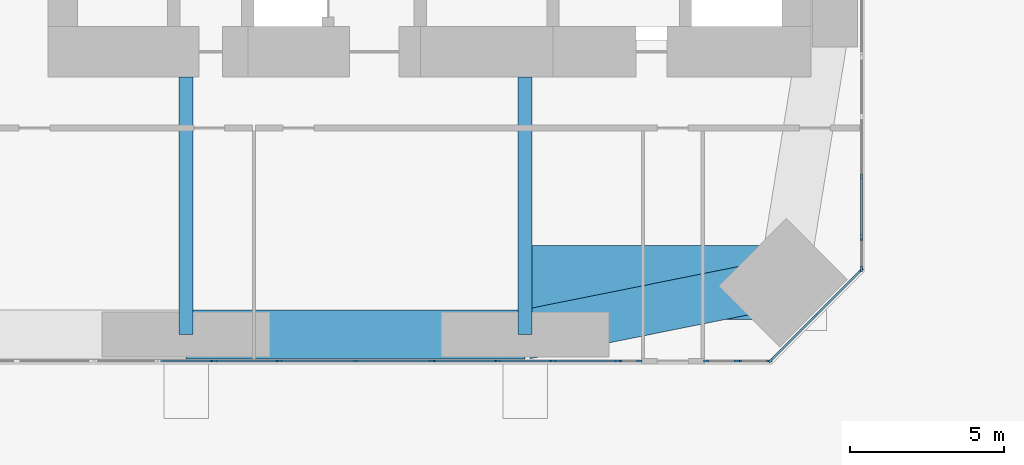
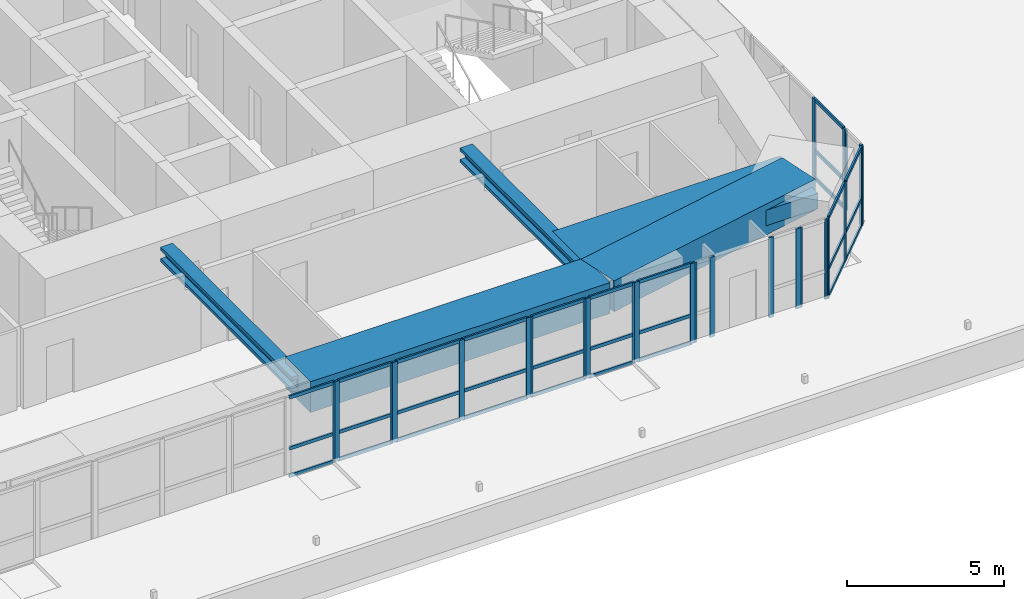
# One storey, part 3 of 20: 55 members, 5 beams, 12 elements without a shape of their own.
"""IFC4 building model written with IfcOpenShell, lengths in metres."""

from ifc_helpers import new_model, si_unit, direction, frame, origin, origin_2d, place, context, subcontext, project, spatial, rectangle, i_section, extrude, material, material_profile, profile_set, type_object, element, aggregate, save


model = new_model("IFC4")

# Units and contexts
model_context = context("Model", 3, precision=1e-05, world=origin(), true_north=direction((0.0, 1.0)))
body_context = subcontext(model_context, "Body", "Model", "MODEL_VIEW")
ifc_project = project(units=[si_unit("LENGTHUNIT", "METRE"), si_unit("AREAUNIT", "SQUARE_METRE"), si_unit("VOLUMEUNIT", "CUBIC_METRE"), si_unit("PLANEANGLEUNIT", "RADIAN"), si_unit("MASSUNIT", "GRAM", prefix="KILO")], contexts=[model_context])

# Site, building, storey
site_placement = place(None, origin())
site = spatial("IfcSite", under=ifc_project, at=site_placement, CompositionType="ELEMENT")
building_placement = place(site_placement, origin())
building = spatial("IfcBuilding", under=site, at=building_placement, Name="Jalousie Tower", CompositionType="ELEMENT")
storey_placement = place(building_placement, frame((0.0, 0.0, 21.0)))
storey = spatial("IfcBuildingStorey", under=building, at=storey_placement, Name="L04", CompositionType="ELEMENT", Elevation=21.0)

# Curtain wall, members
ifc_material_1 = material(Name="Aluminium curtain wall", Category="aluminium")
curtain_wall_type_1 = type_object("IfcCurtainWallType", Name="AMENITY SPANDREL WALL", PredefinedType="USERDEFINED", material=ifc_material_1)
curtain_wall_1_placement = place(storey_placement, origin())
curtain_wall_1 = element("IfcCurtainWall", 1, at=curtain_wall_1_placement, inside=storey, type_object=curtain_wall_type_1, Name="Amenity Spandrel Wall L04 9", ObjectType="AMENITY SPANDREL WALL", PredefinedType="USERDEFINED")
ifc_material_2 = material(Name="Aluminium mullion", Category="aluminium")
ifc_material_profile_1 = material_profile(ifc_material_2, rectangle(XDim=0.06494140625, YDim=0.175048828125, at=origin_2d()), Name="MULLION 65x175")
ifc_profile_set_1 = profile_set([ifc_material_profile_1], Name="Aluminium mullion")
member_type_1 = type_object("IfcMemberType", Name="AMENITY SPANDREL WALL MULLION", PredefinedType="MULLION", material=ifc_profile_set_1)
member_1_placement = place(storey_placement, frame((24.927490234375, 0.08740234375, 0.0), z_axis=(0.0, 0.0, 1.0), x_axis=(0.0, 1.0, 0.0)))
member_1 = element("IfcMember", 2, at=member_1_placement, type_object=member_type_1, Name="CW-AS mullion 1", PredefinedType="MULLION", context=body_context, shape_type="SweptSolid", body=[
    extrude(rectangle(XDim=0.06494140625, YDim=0.175048828125, at=origin_2d()), origin(), (0.0, 0.0, 1.0), 3.110107421875),
])
member_2_placement = place(storey_placement, frame((26.98193359375, 0.08740234375, 0.0), z_axis=(0.0, 0.0, 1.0), x_axis=(0.0, 1.0, 0.0)))
member_2 = element("IfcMember", 3, at=member_2_placement, type_object=member_type_1, Name="CW-AS mullion 2", PredefinedType="MULLION", context=body_context, shape_type="SweptSolid", body=[
    extrude(rectangle(XDim=0.06494140625, YDim=0.175048828125, at=origin_2d()), origin(), (0.0, 0.0, 1.0), 3.110107421875),
])

curtain_wall_2_placement = place(storey_placement, origin())
curtain_wall_2 = element("IfcCurtainWall", 4, at=curtain_wall_2_placement, inside=storey, type_object=curtain_wall_type_1, Name="Amenity Spandrel Wall L04 11", ObjectType="AMENITY SPANDREL WALL", PredefinedType="USERDEFINED")
member_3_placement = place(storey_placement, frame((32.01806640625, 0.08740234375, 0.0), z_axis=(0.0, 0.0, 1.0), x_axis=(0.0, 1.0, 0.0)))
member_3 = element("IfcMember", 5, at=member_3_placement, type_object=member_type_1, Name="CW-AS mullion 1", PredefinedType="MULLION", context=body_context, shape_type="SweptSolid", body=[
    extrude(rectangle(XDim=0.06494140625, YDim=0.175048828125, at=origin_2d()), origin(), (0.0, 0.0, 1.0), 3.110107421875),
])
member_4_placement = place(storey_placement, frame((34.072509765625, 0.08740234375, 0.0), z_axis=(0.0, 0.0, 1.0), x_axis=(0.0, 1.0, 0.0)))
member_4 = element("IfcMember", 6, at=member_4_placement, type_object=member_type_1, Name="CW-AS mullion 2", PredefinedType="MULLION", context=body_context, shape_type="SweptSolid", body=[
    extrude(rectangle(XDim=0.06494140625, YDim=0.175048828125, at=origin_2d()), origin(), (0.0, 0.0, 1.0), 3.110107421875),
])

curtain_wall_3_placement = place(storey_placement, origin())
curtain_wall_3 = element("IfcCurtainWall", 7, at=curtain_wall_3_placement, inside=storey, type_object=curtain_wall_type_1, Name="Amenity Spandrel Wall L04 13", ObjectType="AMENITY SPANDREL WALL", PredefinedType="USERDEFINED")
member_5_placement = place(storey_placement, frame((35.927490234375, 0.08740234375, 0.0), z_axis=(0.0, 0.0, 1.0), x_axis=(0.0, 1.0, 0.0)))
member_5 = element("IfcMember", 8, at=member_5_placement, type_object=member_type_1, Name="CW-AS mullion 1", PredefinedType="MULLION", context=body_context, shape_type="SweptSolid", body=[
    extrude(rectangle(XDim=0.06494140625, YDim=0.175048828125, at=origin_2d()), origin(), (0.0, 0.0, 1.0), 3.110107421875),
])
member_6_placement = place(storey_placement, frame((37.98193359375, 0.08740234375, 0.0), z_axis=(0.0, 0.0, 1.0), x_axis=(0.0, 1.0, 0.0)))
member_6 = element("IfcMember", 9, at=member_6_placement, type_object=member_type_1, Name="CW-AS mullion 2", PredefinedType="MULLION", context=body_context, shape_type="SweptSolid", body=[
    extrude(rectangle(XDim=0.06494140625, YDim=0.175048828125, at=origin_2d()), origin(), (0.0, 0.0, 1.0), 3.110107421875),
])

curtain_wall_4_placement = place(storey_placement, origin())
curtain_wall_4 = element("IfcCurtainWall", 10, at=curtain_wall_4_placement, inside=storey, type_object=curtain_wall_type_1, Name="Amenity Spandrel Wall L04 15", ObjectType="AMENITY SPANDREL WALL", PredefinedType="USERDEFINED")
member_7_placement = place(storey_placement, frame((41.927734375, 0.08740234375, 0.0), z_axis=(0.0, 0.0, 1.0), x_axis=(0.0, 1.0, 0.0)))
member_7 = element("IfcMember", 11, at=member_7_placement, type_object=member_type_1, Name="CW-AS mullion 1", PredefinedType="MULLION", context=body_context, shape_type="SweptSolid", body=[
    extrude(rectangle(XDim=0.06494140625, YDim=0.175048828125, at=origin_2d()), origin(), (0.0, 0.0, 1.0), 3.110107421875),
])
member_8_placement = place(storey_placement, frame((42.916259765625, 0.08740234375, 0.0), z_axis=(0.0, 0.0, 1.0), x_axis=(0.0, 1.0, 0.0)))
member_8 = element("IfcMember", 12, at=member_8_placement, type_object=member_type_1, Name="CW-AS mullion 2", PredefinedType="MULLION", context=body_context, shape_type="SweptSolid", body=[
    extrude(rectangle(XDim=0.06494140625, YDim=0.175048828125, at=origin_2d()), origin(), (0.0, 0.0, 1.0), 3.110107421875),
])
aggregate(curtain_wall_4, [member_7, member_8])

curtain_wall_5_placement = place(storey_placement, origin())
curtain_wall_5 = element("IfcCurtainWall", 13, at=curtain_wall_5_placement, inside=storey, type_object=curtain_wall_type_1, Name="Amenity Spandrel Wall L04 2", ObjectType="AMENITY SPANDREL WALL", PredefinedType="USERDEFINED")
member_9_placement = place(storey_placement, frame((42.9716796875, 0.110595703125, 0.0), z_axis=(0.0, 0.0, 1.0), x_axis=(-0.707106781187, 0.707106781187, 0.0)))
member_9 = element("IfcMember", 14, at=member_9_placement, type_object=member_type_1, Name="CW-AS mullion 1", PredefinedType="MULLION", context=body_context, shape_type="SweptSolid", body=[
    extrude(rectangle(XDim=0.06494140625, YDim=0.175048828125, at=origin_2d()), origin(), (0.0, 0.0, 1.0), 3.110107421875),
])
member_10_placement = place(storey_placement, frame((44.4306640625, 1.5693359375, 0.0), z_axis=(0.0, 0.0, 1.0), x_axis=(-0.707106781187, 0.707106781187, 0.0)))
member_10 = element("IfcMember", 15, at=member_10_placement, type_object=member_type_1, Name="CW-AS mullion 2", PredefinedType="MULLION", context=body_context, shape_type="SweptSolid", body=[
    extrude(rectangle(XDim=0.06494140625, YDim=0.175048828125, at=origin_2d()), origin(), (0.0, 0.0, 1.0), 3.110107421875),
])
member_11_placement = place(storey_placement, frame((45.889404296875, 3.0283203125, 0.0), z_axis=(0.0, 0.0, 1.0), x_axis=(-0.707106781187, 0.707106781187, 0.0)))
member_11 = element("IfcMember", 16, at=member_11_placement, type_object=member_type_1, Name="CW-AS mullion 3", PredefinedType="MULLION", context=body_context, shape_type="SweptSolid", body=[
    extrude(rectangle(XDim=0.06494140625, YDim=0.175048828125, at=origin_2d()), origin(), (0.0, 0.0, 1.0), 3.110107421875),
])

curtain_wall_6_placement = place(storey_placement, origin())
curtain_wall_6 = element("IfcCurtainWall", 17, at=curtain_wall_6_placement, inside=storey, type_object=curtain_wall_type_1, Name="Amenity Spandrel Wall L04 21", ObjectType="AMENITY SPANDREL WALL", PredefinedType="USERDEFINED")
member_12_placement = place(storey_placement, frame((45.91259765625, 3.083740234375, 0.0), z_axis=(0.0, 0.0, 1.0), x_axis=(-1.0, 0.0, 0.0)))
member_12 = element("IfcMember", 18, at=member_12_placement, type_object=member_type_1, Name="CW-AS mullion 1", PredefinedType="MULLION", context=body_context, shape_type="SweptSolid", body=[
    extrude(rectangle(XDim=0.06494140625, YDim=0.175048828125, at=origin_2d()), origin(), (0.0, 0.0, 1.0), 3.110107421875),
])
member_13_placement = place(storey_placement, frame((45.91259765625, 4.072265625, 0.0), z_axis=(0.0, 0.0, 1.0), x_axis=(-1.0, 0.0, 0.0)))
member_13 = element("IfcMember", 19, at=member_13_placement, type_object=member_type_1, Name="CW-AS mullion 2", PredefinedType="MULLION", context=body_context, shape_type="SweptSolid", body=[
    extrude(rectangle(XDim=0.06494140625, YDim=0.175048828125, at=origin_2d()), origin(), (0.0, 0.0, 1.0), 3.110107421875),
])
aggregate(curtain_wall_6, [member_12, member_13])

curtain_wall_7_placement = place(storey_placement, origin())
curtain_wall_7 = element("IfcCurtainWall", 20, at=curtain_wall_7_placement, inside=storey, type_object=curtain_wall_type_1, Name="Amenity Spandrel Wall L04 14", ObjectType="AMENITY SPANDREL WALL", PredefinedType="USERDEFINED")
member_14_placement = place(storey_placement, frame((38.047119140625, 0.08740234375, 0.0), z_axis=(0.0, 0.0, 1.0), x_axis=(0.0, 1.0, 0.0)))
member_14 = element("IfcMember", 21, at=member_14_placement, type_object=member_type_1, Name="CW-AS mullion 1", PredefinedType="MULLION", context=body_context, shape_type="SweptSolid", body=[
    extrude(rectangle(XDim=0.06494140625, YDim=0.175048828125, at=origin_2d()), origin(), (0.0, 0.0, 1.0), 3.110107421875),
])
member_15_placement = place(storey_placement, frame((38.705322265625, 0.08740234375, 0.0), z_axis=(0.0, 0.0, 1.0), x_axis=(0.0, 1.0, 0.0)))
member_15 = element("IfcMember", 22, at=member_15_placement, type_object=member_type_1, Name="CW-AS mullion 2", PredefinedType="MULLION", context=body_context, shape_type="SweptSolid", body=[
    extrude(rectangle(XDim=0.06494140625, YDim=0.175048828125, at=origin_2d()), origin(), (0.0, 0.0, 1.0), 3.110107421875),
])
aggregate(curtain_wall_7, [member_14, member_15])

curtain_wall_8_placement = place(storey_placement, origin())
curtain_wall_8 = element("IfcCurtainWall", 23, at=curtain_wall_8_placement, inside=storey, type_object=curtain_wall_type_1, Name="Amenity Spandrel Wall L04 14 east", ObjectType="AMENITY SPANDREL WALL", PredefinedType="USERDEFINED")
member_16_placement = place(storey_placement, frame((40.875732421875, 0.08740234375, 0.0), z_axis=(0.0, 0.0, 1.0), x_axis=(0.0, 1.0, 0.0)))
member_16 = element("IfcMember", 24, at=member_16_placement, type_object=member_type_1, Name="CW-AS mullion 1", PredefinedType="MULLION", context=body_context, shape_type="SweptSolid", body=[
    extrude(rectangle(XDim=0.06494140625, YDim=0.175048828125, at=origin_2d()), origin(), (0.0, 0.0, 1.0), 3.110107421875),
])
member_17_placement = place(storey_placement, frame((41.86279296875, 0.08740234375, 0.0), z_axis=(0.0, 0.0, 1.0), x_axis=(0.0, 1.0, 0.0)))
member_17 = element("IfcMember", 25, at=member_17_placement, type_object=member_type_1, Name="CW-AS mullion 2", PredefinedType="MULLION", context=body_context, shape_type="SweptSolid", body=[
    extrude(rectangle(XDim=0.06494140625, YDim=0.175048828125, at=origin_2d()), origin(), (0.0, 0.0, 1.0), 3.110107421875),
])
aggregate(curtain_wall_8, [member_16, member_17])

# Member
ifc_material_3 = material(Name="Aluminium transom", Category="aluminium")
ifc_material_profile_2 = material_profile(ifc_material_3, rectangle(XDim=0.06494140625, YDim=0.1298828125, at=origin_2d()), Name="TRANSOM 65x130")
ifc_profile_set_2 = profile_set([ifc_material_profile_2], Name="Aluminium transom")
member_type_2 = type_object("IfcMemberType", Name="AMENITY SPANDREL WALL TRANSOM", PredefinedType="USERDEFINED", material=ifc_profile_set_2)
member_18_placement = place(storey_placement, frame((24.960205078125, 0.08740234375, 0.032470703125), z_axis=(1.0, 0.0, 0.0), x_axis=(0.0, 1.0, 0.0)))
member_18 = element("IfcMember", 26, at=member_18_placement, type_object=member_type_2, Name="CW-AS transom 1.1", ObjectType="TRANSOM", PredefinedType="USERDEFINED", context=body_context, shape_type="SweptSolid", body=[
    extrude(rectangle(XDim=0.06494140625, YDim=0.1298828125, at=origin_2d()), origin(), (0.0, 0.0, 1.0), 1.9892578125),
])

member_19_placement = place(storey_placement, frame((24.960205078125, 0.08740234375, 1.10009765625), z_axis=(1.0, 0.0, 0.0), x_axis=(0.0, 1.0, 0.0)))
member_19 = element("IfcMember", 27, at=member_19_placement, type_object=member_type_2, Name="CW-AS transom 1.2", ObjectType="TRANSOM", PredefinedType="USERDEFINED", context=body_context, shape_type="SweptSolid", body=[
    extrude(rectangle(XDim=0.06494140625, YDim=0.1298828125, at=origin_2d()), origin(), (0.0, 0.0, 1.0), 1.9892578125),
])

member_20_placement = place(storey_placement, frame((24.960205078125, 0.08740234375, 3.077392578125), z_axis=(1.0, 0.0, 0.0), x_axis=(0.0, 1.0, 0.0)))
member_20 = element("IfcMember", 28, at=member_20_placement, type_object=member_type_2, Name="CW-AS transom 1.3", ObjectType="TRANSOM", PredefinedType="USERDEFINED", context=body_context, shape_type="SweptSolid", body=[
    extrude(rectangle(XDim=0.06494140625, YDim=0.1298828125, at=origin_2d()), origin(), (0.0, 0.0, 1.0), 1.9892578125),
])

aggregate(curtain_wall_1, [member_1, member_2, member_18, member_19, member_20])

member_21_placement = place(storey_placement, frame((32.050537109375, 0.08740234375, 0.032470703125), z_axis=(1.0, 0.0, 0.0), x_axis=(0.0, 1.0, 0.0)))
member_21 = element("IfcMember", 29, at=member_21_placement, type_object=member_type_2, Name="CW-AS transom 1.1", ObjectType="TRANSOM", PredefinedType="USERDEFINED", context=body_context, shape_type="SweptSolid", body=[
    extrude(rectangle(XDim=0.06494140625, YDim=0.1298828125, at=origin_2d()), origin(), (0.0, 0.0, 1.0), 1.9892578125),
])

member_22_placement = place(storey_placement, frame((32.050537109375, 0.08740234375, 1.10009765625), z_axis=(1.0, 0.0, 0.0), x_axis=(0.0, 1.0, 0.0)))
member_22 = element("IfcMember", 30, at=member_22_placement, type_object=member_type_2, Name="CW-AS transom 1.2", ObjectType="TRANSOM", PredefinedType="USERDEFINED", context=body_context, shape_type="SweptSolid", body=[
    extrude(rectangle(XDim=0.06494140625, YDim=0.1298828125, at=origin_2d()), origin(), (0.0, 0.0, 1.0), 1.9892578125),
])

member_23_placement = place(storey_placement, frame((32.050537109375, 0.08740234375, 3.077392578125), z_axis=(1.0, 0.0, 0.0), x_axis=(0.0, 1.0, 0.0)))
member_23 = element("IfcMember", 31, at=member_23_placement, type_object=member_type_2, Name="CW-AS transom 1.3", ObjectType="TRANSOM", PredefinedType="USERDEFINED", context=body_context, shape_type="SweptSolid", body=[
    extrude(rectangle(XDim=0.06494140625, YDim=0.1298828125, at=origin_2d()), origin(), (0.0, 0.0, 1.0), 1.9892578125),
])

aggregate(curtain_wall_2, [member_3, member_4, member_21, member_22, member_23])

member_24_placement = place(storey_placement, frame((35.960205078125, 0.08740234375, 0.032470703125), z_axis=(1.0, 0.0, 0.0), x_axis=(0.0, 1.0, 0.0)))
member_24 = element("IfcMember", 32, at=member_24_placement, type_object=member_type_2, Name="CW-AS transom 1.1", ObjectType="TRANSOM", PredefinedType="USERDEFINED", context=body_context, shape_type="SweptSolid", body=[
    extrude(rectangle(XDim=0.06494140625, YDim=0.1298828125, at=origin_2d()), origin(), (0.0, 0.0, 1.0), 1.9892578125),
])

member_25_placement = place(storey_placement, frame((35.960205078125, 0.08740234375, 1.10009765625), z_axis=(1.0, 0.0, 0.0), x_axis=(0.0, 1.0, 0.0)))
member_25 = element("IfcMember", 33, at=member_25_placement, type_object=member_type_2, Name="CW-AS transom 1.2", ObjectType="TRANSOM", PredefinedType="USERDEFINED", context=body_context, shape_type="SweptSolid", body=[
    extrude(rectangle(XDim=0.06494140625, YDim=0.1298828125, at=origin_2d()), origin(), (0.0, 0.0, 1.0), 1.9892578125),
])

member_26_placement = place(storey_placement, frame((35.960205078125, 0.08740234375, 3.077392578125), z_axis=(1.0, 0.0, 0.0), x_axis=(0.0, 1.0, 0.0)))
member_26 = element("IfcMember", 34, at=member_26_placement, type_object=member_type_2, Name="CW-AS transom 1.3", ObjectType="TRANSOM", PredefinedType="USERDEFINED", context=body_context, shape_type="SweptSolid", body=[
    extrude(rectangle(XDim=0.06494140625, YDim=0.1298828125, at=origin_2d()), origin(), (0.0, 0.0, 1.0), 1.9892578125),
])

aggregate(curtain_wall_3, [member_5, member_6, member_24, member_25, member_26])

member_27_placement = place(storey_placement, frame((42.99462890625, 0.133544921875, 0.032470703125), z_axis=(0.707167867686, 0.707045689409, 0.0), x_axis=(-0.707045689409, 0.707167867686, 0.0)))
member_27 = element("IfcMember", 35, at=member_27_placement, type_object=member_type_2, Name="CW-AS transom 1.1", ObjectType="TRANSOM", PredefinedType="USERDEFINED", context=body_context, shape_type="SweptSolid", body=[
    extrude(rectangle(XDim=0.06494140625, YDim=0.1298828125, at=origin_2d()), origin(), (0.0, 0.0, 1.0), 1.998291015625),
])

member_28_placement = place(storey_placement, frame((42.99462890625, 0.133544921875, 1.10009765625), z_axis=(0.707167867686, 0.707045689409, 0.0), x_axis=(-0.707045689409, 0.707167867686, 0.0)))
member_28 = element("IfcMember", 36, at=member_28_placement, type_object=member_type_2, Name="CW-AS transom 1.2", ObjectType="TRANSOM", PredefinedType="USERDEFINED", context=body_context, shape_type="SweptSolid", body=[
    extrude(rectangle(XDim=0.06494140625, YDim=0.1298828125, at=origin_2d()), origin(), (0.0, 0.0, 1.0), 1.998291015625),
])

member_29_placement = place(storey_placement, frame((42.99462890625, 0.133544921875, 3.077392578125), z_axis=(0.707167867686, 0.707045689409, 0.0), x_axis=(-0.707045689409, 0.707167867686, 0.0)))
member_29 = element("IfcMember", 37, at=member_29_placement, type_object=member_type_2, Name="CW-AS transom 1.3", ObjectType="TRANSOM", PredefinedType="USERDEFINED", context=body_context, shape_type="SweptSolid", body=[
    extrude(rectangle(XDim=0.06494140625, YDim=0.1298828125, at=origin_2d()), origin(), (0.0, 0.0, 1.0), 1.998291015625),
])

member_30_placement = place(storey_placement, frame((44.45361328125, 1.59228515625, 0.032470703125), z_axis=(0.707045689409, 0.707167867686, 0.0), x_axis=(-0.707167867686, 0.707045689409, 0.0)))
member_30 = element("IfcMember", 38, at=member_30_placement, type_object=member_type_2, Name="CW-AS transom 2.1", ObjectType="TRANSOM", PredefinedType="USERDEFINED", context=body_context, shape_type="SweptSolid", body=[
    extrude(rectangle(XDim=0.06494140625, YDim=0.1298828125, at=origin_2d()), origin(), (0.0, 0.0, 1.0), 1.998291015625),
])

member_31_placement = place(storey_placement, frame((44.45361328125, 1.59228515625, 1.10009765625), z_axis=(0.707045689409, 0.707167867686, 0.0), x_axis=(-0.707167867686, 0.707045689409, 0.0)))
member_31 = element("IfcMember", 39, at=member_31_placement, type_object=member_type_2, Name="CW-AS transom 2.2", ObjectType="TRANSOM", PredefinedType="USERDEFINED", context=body_context, shape_type="SweptSolid", body=[
    extrude(rectangle(XDim=0.06494140625, YDim=0.1298828125, at=origin_2d()), origin(), (0.0, 0.0, 1.0), 1.998291015625),
])

member_32_placement = place(storey_placement, frame((44.45361328125, 1.59228515625, 3.077392578125), z_axis=(0.707045689409, 0.707167867686, 0.0), x_axis=(-0.707167867686, 0.707045689409, 0.0)))
member_32 = element("IfcMember", 40, at=member_32_placement, type_object=member_type_2, Name="CW-AS transom 2.3", ObjectType="TRANSOM", PredefinedType="USERDEFINED", context=body_context, shape_type="SweptSolid", body=[
    extrude(rectangle(XDim=0.06494140625, YDim=0.1298828125, at=origin_2d()), origin(), (0.0, 0.0, 1.0), 1.998291015625),
])

aggregate(curtain_wall_5, [member_9, member_10, member_11, member_27, member_28, member_29, member_30, member_31, member_32])

# Curtain wall, member
ifc_material_4 = material(Name="Aluminium curtain wall", Category="aluminium")
curtain_wall_type_2 = type_object("IfcCurtainWallType", Name="AMENITY WINDOW WALL", PredefinedType="USERDEFINED", material=ifc_material_4)
curtain_wall_9_placement = place(storey_placement, origin())
curtain_wall_9 = element("IfcCurtainWall", 41, at=curtain_wall_9_placement, inside=storey, type_object=curtain_wall_type_2, Name="Amenity Window Wall L04 8", ObjectType="AMENITY WINDOW WALL", PredefinedType="USERDEFINED")
ifc_material_5 = material(Name="Aluminium mullion", Category="aluminium")
ifc_material_profile_3 = material_profile(ifc_material_5, rectangle(XDim=0.06494140625, YDim=0.175048828125, at=origin_2d()), Name="MULLION 65x175")
ifc_profile_set_3 = profile_set([ifc_material_profile_3], Name="Aluminium mullion")
member_type_3 = type_object("IfcMemberType", Name="AMENITY WINDOW WALL MULLION", PredefinedType="MULLION", material=ifc_profile_set_3)
member_33_placement = place(storey_placement, frame((24.862548828125, 0.08740234375, 0.0), z_axis=(0.0, 0.0, 1.0), x_axis=(0.0, 1.0, 0.0)))
member_33 = element("IfcMember", 42, at=member_33_placement, type_object=member_type_3, Name="CW-A mullion 2", PredefinedType="MULLION", context=body_context, shape_type="SweptSolid", body=[
    extrude(rectangle(XDim=0.06494140625, YDim=0.175048828125, at=origin_2d()), origin(), (0.0, 0.0, 1.0), 3.110107421875),
])

# Curtain wall, members
curtain_wall_10_placement = place(storey_placement, origin())
curtain_wall_10 = element("IfcCurtainWall", 43, at=curtain_wall_10_placement, inside=storey, type_object=curtain_wall_type_2, Name="Amenity Window Wall L04 10", ObjectType="AMENITY WINDOW WALL", PredefinedType="USERDEFINED")
member_34_placement = place(storey_placement, frame((27.047119140625, 0.08740234375, 0.0), z_axis=(0.0, 0.0, 1.0), x_axis=(0.0, 1.0, 0.0)))
member_34 = element("IfcMember", 44, at=member_34_placement, type_object=member_type_3, Name="CW-A mullion 1", PredefinedType="MULLION", context=body_context, shape_type="SweptSolid", body=[
    extrude(rectangle(XDim=0.06494140625, YDim=0.175048828125, at=origin_2d()), origin(), (0.0, 0.0, 1.0), 3.110107421875),
])
member_35_placement = place(storey_placement, frame((29.5, 0.08740234375, 0.0), z_axis=(0.0, 0.0, 1.0), x_axis=(0.0, 1.0, 0.0)))
member_35 = element("IfcMember", 45, at=member_35_placement, type_object=member_type_3, Name="CW-A mullion 2", PredefinedType="MULLION", context=body_context, shape_type="SweptSolid", body=[
    extrude(rectangle(XDim=0.06494140625, YDim=0.175048828125, at=origin_2d()), origin(), (0.0, 0.0, 1.0), 3.110107421875),
])
member_36_placement = place(storey_placement, frame((31.952880859375, 0.08740234375, 0.0), z_axis=(0.0, 0.0, 1.0), x_axis=(0.0, 1.0, 0.0)))
member_36 = element("IfcMember", 46, at=member_36_placement, type_object=member_type_3, Name="CW-A mullion 3", PredefinedType="MULLION", context=body_context, shape_type="SweptSolid", body=[
    extrude(rectangle(XDim=0.06494140625, YDim=0.175048828125, at=origin_2d()), origin(), (0.0, 0.0, 1.0), 3.110107421875),
])

curtain_wall_11_placement = place(storey_placement, origin())
curtain_wall_11 = element("IfcCurtainWall", 47, at=curtain_wall_11_placement, inside=storey, type_object=curtain_wall_type_2, Name="Amenity Window Wall L04 12", ObjectType="AMENITY WINDOW WALL", PredefinedType="USERDEFINED")
member_37_placement = place(storey_placement, frame((34.137451171875, 0.08740234375, 0.0), z_axis=(0.0, 0.0, 1.0), x_axis=(0.0, 1.0, 0.0)))
member_37 = element("IfcMember", 48, at=member_37_placement, type_object=member_type_3, Name="CW-A mullion 1", PredefinedType="MULLION", context=body_context, shape_type="SweptSolid", body=[
    extrude(rectangle(XDim=0.06494140625, YDim=0.175048828125, at=origin_2d()), origin(), (0.0, 0.0, 1.0), 3.110107421875),
])
member_38_placement = place(storey_placement, frame((35.862548828125, 0.08740234375, 0.0), z_axis=(0.0, 0.0, 1.0), x_axis=(0.0, 1.0, 0.0)))
member_38 = element("IfcMember", 49, at=member_38_placement, type_object=member_type_3, Name="CW-A mullion 2", PredefinedType="MULLION", context=body_context, shape_type="SweptSolid", body=[
    extrude(rectangle(XDim=0.06494140625, YDim=0.175048828125, at=origin_2d()), origin(), (0.0, 0.0, 1.0), 3.110107421875),
])

curtain_wall_12_placement = place(storey_placement, origin())
curtain_wall_12 = element("IfcCurtainWall", 50, at=curtain_wall_12_placement, inside=storey, type_object=curtain_wall_type_2, Name="Amenity Window Wall L04 22", ObjectType="AMENITY WINDOW WALL", PredefinedType="USERDEFINED")
member_39_placement = place(storey_placement, frame((45.91259765625, 4.13720703125, 0.0), z_axis=(0.0, 0.0, 1.0), x_axis=(-1.0, 0.0, 0.0)))
member_39 = element("IfcMember", 51, at=member_39_placement, type_object=member_type_3, Name="CW-A mullion 1", PredefinedType="MULLION", context=body_context, shape_type="SweptSolid", body=[
    extrude(rectangle(XDim=0.06494140625, YDim=0.175048828125, at=origin_2d()), origin(), (0.0, 0.0, 1.0), 3.110107421875),
])
member_40_placement = place(storey_placement, frame((45.91259765625, 6.06494140625, 0.0), z_axis=(0.0, 0.0, 1.0), x_axis=(-1.0, 0.0, 0.0)))
member_40 = element("IfcMember", 52, at=member_40_placement, type_object=member_type_3, Name="CW-A mullion 2", PredefinedType="MULLION", context=body_context, shape_type="SweptSolid", body=[
    extrude(rectangle(XDim=0.06494140625, YDim=0.175048828125, at=origin_2d()), origin(), (0.0, 0.0, 1.0), 3.110107421875),
])

# Member
ifc_material_6 = material(Name="Aluminium transom", Category="aluminium")
ifc_material_profile_4 = material_profile(ifc_material_6, rectangle(XDim=0.06494140625, YDim=0.1298828125, at=origin_2d()), Name="TRANSOM 65x130")
ifc_profile_set_4 = profile_set([ifc_material_profile_4], Name="Aluminium transom")
member_type_4 = type_object("IfcMemberType", Name="AMENITY WINDOW WALL TRANSOM", PredefinedType="USERDEFINED", material=ifc_profile_set_4)
member_41_placement = place(storey_placement, frame((23.169921875, 0.08740234375, 0.032470703125), z_axis=(1.0, 0.0, 0.0), x_axis=(0.0, 1.0, 0.0)))
member_41 = element("IfcMember", 53, at=member_41_placement, type_object=member_type_4, Name="CW-A transom 1.1", ObjectType="TRANSOM", PredefinedType="USERDEFINED", context=body_context, shape_type="SweptSolid", body=[
    extrude(rectangle(XDim=0.06494140625, YDim=0.1298828125, at=origin_2d()), origin(), (0.0, 0.0, 1.0), 1.66015625),
])

member_42_placement = place(storey_placement, frame((23.169921875, 0.08740234375, 1.10009765625), z_axis=(1.0, 0.0, 0.0), x_axis=(0.0, 1.0, 0.0)))
member_42 = element("IfcMember", 54, at=member_42_placement, type_object=member_type_4, Name="CW-A transom 1.2", ObjectType="TRANSOM", PredefinedType="USERDEFINED", context=body_context, shape_type="SweptSolid", body=[
    extrude(rectangle(XDim=0.06494140625, YDim=0.1298828125, at=origin_2d()), origin(), (0.0, 0.0, 1.0), 1.66015625),
])

member_43_placement = place(storey_placement, frame((23.169921875, 0.08740234375, 3.077392578125), z_axis=(1.0, 0.0, 0.0), x_axis=(0.0, 1.0, 0.0)))
member_43 = element("IfcMember", 55, at=member_43_placement, type_object=member_type_4, Name="CW-A transom 1.3", ObjectType="TRANSOM", PredefinedType="USERDEFINED", context=body_context, shape_type="SweptSolid", body=[
    extrude(rectangle(XDim=0.06494140625, YDim=0.1298828125, at=origin_2d()), origin(), (0.0, 0.0, 1.0), 1.66015625),
])

aggregate(curtain_wall_9, [member_33, member_41, member_42, member_43])

member_44_placement = place(storey_placement, frame((27.07958984375, 0.08740234375, 0.032470703125), z_axis=(1.0, 0.0, 0.0), x_axis=(0.0, 1.0, 0.0)))
member_44 = element("IfcMember", 56, at=member_44_placement, type_object=member_type_4, Name="CW-A transom 1.1", ObjectType="TRANSOM", PredefinedType="USERDEFINED", context=body_context, shape_type="SweptSolid", body=[
    extrude(rectangle(XDim=0.06494140625, YDim=0.1298828125, at=origin_2d()), origin(), (0.0, 0.0, 1.0), 2.387939453125),
])

member_45_placement = place(storey_placement, frame((27.07958984375, 0.08740234375, 1.10009765625), z_axis=(1.0, 0.0, 0.0), x_axis=(0.0, 1.0, 0.0)))
member_45 = element("IfcMember", 57, at=member_45_placement, type_object=member_type_4, Name="CW-A transom 1.2", ObjectType="TRANSOM", PredefinedType="USERDEFINED", context=body_context, shape_type="SweptSolid", body=[
    extrude(rectangle(XDim=0.06494140625, YDim=0.1298828125, at=origin_2d()), origin(), (0.0, 0.0, 1.0), 2.387939453125),
])

member_46_placement = place(storey_placement, frame((27.07958984375, 0.08740234375, 3.077392578125), z_axis=(1.0, 0.0, 0.0), x_axis=(0.0, 1.0, 0.0)))
member_46 = element("IfcMember", 58, at=member_46_placement, type_object=member_type_4, Name="CW-A transom 1.3", ObjectType="TRANSOM", PredefinedType="USERDEFINED", context=body_context, shape_type="SweptSolid", body=[
    extrude(rectangle(XDim=0.06494140625, YDim=0.1298828125, at=origin_2d()), origin(), (0.0, 0.0, 1.0), 2.387939453125),
])

member_47_placement = place(storey_placement, frame((29.532470703125, 0.08740234375, 0.032470703125), z_axis=(1.0, 0.0, 0.0), x_axis=(0.0, 1.0, 0.0)))
member_47 = element("IfcMember", 59, at=member_47_placement, type_object=member_type_4, Name="CW-A transom 2.1", ObjectType="TRANSOM", PredefinedType="USERDEFINED", context=body_context, shape_type="SweptSolid", body=[
    extrude(rectangle(XDim=0.06494140625, YDim=0.1298828125, at=origin_2d()), origin(), (0.0, 0.0, 1.0), 2.387939453125),
])

member_48_placement = place(storey_placement, frame((29.532470703125, 0.08740234375, 1.10009765625), z_axis=(1.0, 0.0, 0.0), x_axis=(0.0, 1.0, 0.0)))
member_48 = element("IfcMember", 60, at=member_48_placement, type_object=member_type_4, Name="CW-A transom 2.2", ObjectType="TRANSOM", PredefinedType="USERDEFINED", context=body_context, shape_type="SweptSolid", body=[
    extrude(rectangle(XDim=0.06494140625, YDim=0.1298828125, at=origin_2d()), origin(), (0.0, 0.0, 1.0), 2.387939453125),
])

member_49_placement = place(storey_placement, frame((29.532470703125, 0.08740234375, 3.077392578125), z_axis=(1.0, 0.0, 0.0), x_axis=(0.0, 1.0, 0.0)))
member_49 = element("IfcMember", 61, at=member_49_placement, type_object=member_type_4, Name="CW-A transom 2.3", ObjectType="TRANSOM", PredefinedType="USERDEFINED", context=body_context, shape_type="SweptSolid", body=[
    extrude(rectangle(XDim=0.06494140625, YDim=0.1298828125, at=origin_2d()), origin(), (0.0, 0.0, 1.0), 2.387939453125),
])

aggregate(curtain_wall_10, [member_34, member_35, member_36, member_44, member_45, member_46, member_47, member_48, member_49])

member_50_placement = place(storey_placement, frame((34.169921875, 0.08740234375, 0.032470703125), z_axis=(1.0, 0.0, 0.0), x_axis=(0.0, 1.0, 0.0)))
member_50 = element("IfcMember", 62, at=member_50_placement, type_object=member_type_4, Name="CW-A transom 1.1", ObjectType="TRANSOM", PredefinedType="USERDEFINED", context=body_context, shape_type="SweptSolid", body=[
    extrude(rectangle(XDim=0.06494140625, YDim=0.1298828125, at=origin_2d()), origin(), (0.0, 0.0, 1.0), 1.66015625),
])

member_51_placement = place(storey_placement, frame((34.169921875, 0.08740234375, 1.10009765625), z_axis=(1.0, 0.0, 0.0), x_axis=(0.0, 1.0, 0.0)))
member_51 = element("IfcMember", 63, at=member_51_placement, type_object=member_type_4, Name="CW-A transom 1.2", ObjectType="TRANSOM", PredefinedType="USERDEFINED", context=body_context, shape_type="SweptSolid", body=[
    extrude(rectangle(XDim=0.06494140625, YDim=0.1298828125, at=origin_2d()), origin(), (0.0, 0.0, 1.0), 1.66015625),
])

member_52_placement = place(storey_placement, frame((34.169921875, 0.08740234375, 3.077392578125), z_axis=(1.0, 0.0, 0.0), x_axis=(0.0, 1.0, 0.0)))
member_52 = element("IfcMember", 64, at=member_52_placement, type_object=member_type_4, Name="CW-A transom 1.3", ObjectType="TRANSOM", PredefinedType="USERDEFINED", context=body_context, shape_type="SweptSolid", body=[
    extrude(rectangle(XDim=0.06494140625, YDim=0.1298828125, at=origin_2d()), origin(), (0.0, 0.0, 1.0), 1.66015625),
])

aggregate(curtain_wall_11, [member_37, member_38, member_50, member_51, member_52])

member_53_placement = place(storey_placement, frame((45.91259765625, 4.169921875, 0.032470703125), z_axis=(0.0, 1.0, 0.0), x_axis=(-1.0, 0.0, 0.0)))
member_53 = element("IfcMember", 65, at=member_53_placement, type_object=member_type_4, Name="CW-A transom 1.1", ObjectType="TRANSOM", PredefinedType="USERDEFINED", context=body_context, shape_type="SweptSolid", body=[
    extrude(rectangle(XDim=0.06494140625, YDim=0.1298828125, at=origin_2d()), origin(), (0.0, 0.0, 1.0), 1.862548828125),
])

member_54_placement = place(storey_placement, frame((45.91259765625, 4.169921875, 1.10009765625), z_axis=(0.0, 1.0, 0.0), x_axis=(-1.0, 0.0, 0.0)))
member_54 = element("IfcMember", 66, at=member_54_placement, type_object=member_type_4, Name="CW-A transom 1.2", ObjectType="TRANSOM", PredefinedType="USERDEFINED", context=body_context, shape_type="SweptSolid", body=[
    extrude(rectangle(XDim=0.06494140625, YDim=0.1298828125, at=origin_2d()), origin(), (0.0, 0.0, 1.0), 1.862548828125),
])

member_55_placement = place(storey_placement, frame((45.91259765625, 4.169921875, 3.077392578125), z_axis=(0.0, 1.0, 0.0), x_axis=(-1.0, 0.0, 0.0)))
member_55 = element("IfcMember", 67, at=member_55_placement, type_object=member_type_4, Name="CW-A transom 1.3", ObjectType="TRANSOM", PredefinedType="USERDEFINED", context=body_context, shape_type="SweptSolid", body=[
    extrude(rectangle(XDim=0.06494140625, YDim=0.1298828125, at=origin_2d()), origin(), (0.0, 0.0, 1.0), 1.862548828125),
])

aggregate(curtain_wall_12, [member_39, member_40, member_53, member_54, member_55])

# Beams
ifc_material_7 = material(Name="Steel ASTM A992 Grade 50", Category="steel")
ifc_material_profile_5 = material_profile(ifc_material_7, i_section(OverallWidth=0.45458984375, OverallDepth=0.569091796875, WebThickness=0.077880859375, FlangeThickness=0.124755859375, at=origin_2d()), Name="W14X730")
ifc_profile_set_5 = profile_set([ifc_material_profile_5], Name="Steel ASTM A992 Grade 50")
beam_type_1 = type_object("IfcBeamType", Name="LEAN COLLECTOR W14X730", PredefinedType="BEAM", material=ifc_profile_set_5)
for number, where, z_axis, x_axis, name in (
    (68, (24.0, 0.949951171875, 2.825439453125), (0.0, 1.0, 0.0), (-1.0, 0.0, 0.0), "Lean collector under L05"),
    (69, (35.0, 0.949951171875, 2.825439453125), (0.0, 1.0, 0.0), (-1.0, 0.0, 0.0), "Lean collector under L05"),
):
    element("IfcBeam", number, at=place(storey_placement, frame(where, z_axis=z_axis, x_axis=x_axis)), inside=storey, type_object=beam_type_1, Name=name, PredefinedType="BEAM", context=body_context, shape_type="SweptSolid", body=[
        extrude(i_section(OverallWidth=0.45458984375, OverallDepth=0.569091796875, WebThickness=0.077880859375, FlangeThickness=0.124755859375, at=origin_2d()), origin(), (0.0, 0.0, 1.0), 8.35009765625),
    ])
ifc_material_8 = material(Name="Concrete f'c 40 MPa", Category="concrete")
ifc_material_profile_6 = material_profile(ifc_material_8, rectangle(XDim=1.60009765625, YDim=1.199951171875, at=origin_2d()), Name="RC 1600x1200")
ifc_profile_set_6 = profile_set([ifc_material_profile_6], Name="Concrete f'c 40 MPa")
beam_type_2 = type_object("IfcBeamType", Name="RC BEAM 1600x1200", PredefinedType="BEAM", material=ifc_profile_set_6)
beam_1_placement = place(storey_placement, frame((24.0, 0.949951171875, 2.75), z_axis=(1.0, 0.0, 0.0), x_axis=(0.0, 1.0, 0.0)))
element("IfcBeam", 70, at=beam_1_placement, inside=storey, type_object=beam_type_2, Name="Edge band beam 03-04 under L05", PredefinedType="BEAM", context=body_context, shape_type="SweptSolid", body=[
    extrude(rectangle(XDim=1.60009765625, YDim=1.199951171875, at=origin_2d()), origin(), (0.0, 0.0, 1.0), 11.0),
])
beam_2_placement = place(storey_placement, frame((35.0, 0.949951171875, 2.75), z_axis=(0.980407585444, 0.196979609107, 0.0), x_axis=(-0.196979609107, 0.980407585444, 0.0)))
element("IfcBeam", 71, at=beam_2_placement, inside=storey, type_object=beam_type_2, Name="Edge band beam 04-05 under L05", PredefinedType="BEAM", context=body_context, shape_type="SweptSolid", body=[
    extrude(rectangle(XDim=1.60009765625, YDim=1.199951171875, at=origin_2d()), origin(), (0.0, 0.0, 1.0), 8.535888671875),
])
ifc_material_9 = material(Name="Concrete f'c 40 MPa", Category="concrete")
ifc_material_profile_7 = material_profile(ifc_material_9, rectangle(XDim=2.39990234375, YDim=0.60009765625, at=origin_2d()), Name="RC 2400x600")
ifc_profile_set_7 = profile_set([ifc_material_profile_7], Name="Concrete f'c 40 MPa")
beam_type_3 = type_object("IfcBeamType", Name="RC BEAM 2400x600", PredefinedType="BEAM", material=ifc_profile_set_7)
beam_3_placement = place(storey_placement, frame((43.36865234375, 2.63134765625, 2.81005859375), z_axis=(-1.0, 0.0, 0.0), x_axis=(0.0, -1.0, 0.0)))
element("IfcBeam", 72, at=beam_3_placement, inside=storey, type_object=beam_type_3, Name="Floor band beam under L05", PredefinedType="BEAM", context=body_context, shape_type="SweptSolid", body=[
    extrude(rectangle(XDim=2.39990234375, YDim=0.60009765625, at=origin_2d()), origin(), (0.0, 0.0, 1.0), 8.36865234375),
])

save(model, "model.ifc")
